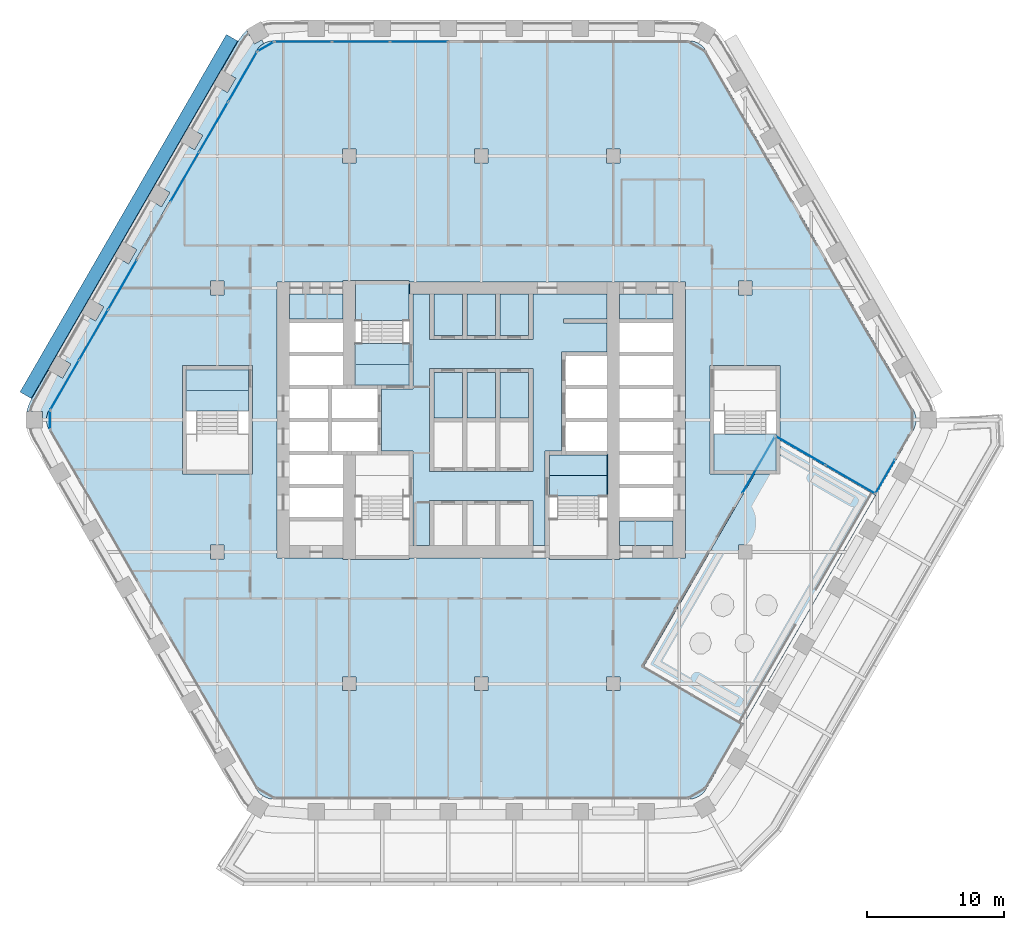
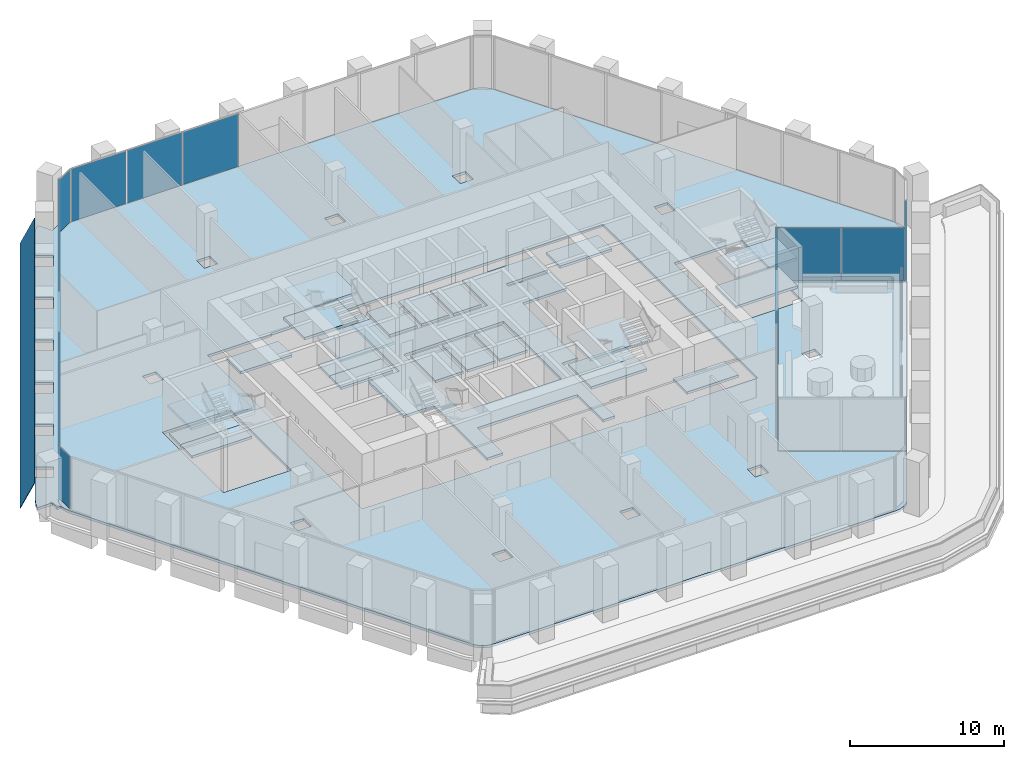
# One storey, part 12 of 25: 26 slabs, 16 plates, 12 elements without a shape of their own.
"""IFC4 building model written with IfcOpenShell, lengths in metres."""

from ifc_helpers import new_model, si_unit, direction, frame, origin, origin_2d, place, context, subcontext, project, spatial, polyline, rectangle, outline, extrude, material, layer, layer_set, type_object, element, aggregate, save


model = new_model("IFC4")

# Units and contexts
model_context = context("Model", 3, precision=1e-05, world=origin(), true_north=direction((0.0, 1.0)))
body_context = subcontext(model_context, "Body", "Model", "MODEL_VIEW")
ifc_project = project(units=[si_unit("LENGTHUNIT", "METRE"), si_unit("AREAUNIT", "SQUARE_METRE"), si_unit("VOLUMEUNIT", "CUBIC_METRE"), si_unit("PLANEANGLEUNIT", "RADIAN"), si_unit("MASSUNIT", "GRAM", prefix="KILO")], contexts=[model_context])

# Site, building, storey
site_placement = place(None, origin())
site = spatial("IfcSite", under=ifc_project, at=site_placement, CompositionType="ELEMENT")
building_placement = place(site_placement, origin())
building = spatial("IfcBuilding", under=site, at=building_placement, Name="Kolab Exchange Tower", CompositionType="ELEMENT")
storey_placement = place(building_placement, frame((0.0, 0.0, 91.39990234375)))
storey = spatial("IfcBuildingStorey", under=building, at=storey_placement, Name="L17", CompositionType="ELEMENT", Elevation=91.39990234375)

# Slabs
ifc_material_1 = material(Name="Concrete C35/45", Category="concrete")
ifc_layer_1 = layer(ifc_material_1, 0.199951171875)
ifc_layer_set_1 = layer_set([ifc_layer_1], Name="Concrete C35/45")
slab_type_1 = type_object("IfcSlabType", Name="FLOOR SLAB 200", PredefinedType="FLOOR", material=ifc_layer_set_1)
slab_1_placement = place(storey_placement, frame((0.0, 0.0, -0.199951171875)))
element("IfcSlab", 1, at=slab_1_placement, inside=storey, type_object=slab_type_1, Name="slab/L17/floor/0", PredefinedType="FLOOR", context=body_context, shape_type="SweptSolid", body=[
    extrude(outline(polyline([(11.826416015625, -17.9130859375), (19.887939453125, -3.949951171875), (16.949951171875, -3.949951171875), (16.64990234375, -3.949951171875), (16.64990234375, 3.949951171875), (16.949951171875, 3.949951171875), (21.449951171875, 3.949951171875), (21.75, 3.949951171875), (21.75, -1.47216796875), (28.700927734375, -5.4853515625), (31.434814453125, -0.75), (31.54541015625, -0.512939453125), (31.613037109375, -0.260498046875), (31.635986328125, 0.0), (31.613037109375, 0.260498046875), (31.54541015625, 0.512939453125), (31.434814453125, 0.75), (16.366943359375, 26.848388671875), (16.217041015625, 27.062744140625), (16.0322265625, 27.24755859375), (15.81787109375, 27.3974609375), (15.5810546875, 27.508056640625), (15.328369140625, 27.57568359375), (15.06787109375, 27.598388671875), (-15.06787109375, 27.598388671875), (-15.328369140625, 27.57568359375), (-15.5810546875, 27.508056640625), (-15.81787109375, 27.3974609375), (-16.0322265625, 27.24755859375), (-16.217041015625, 27.062744140625), (-16.366943359375, 26.848388671875), (-31.434814453125, 0.75), (-31.54541015625, 0.512939453125), (-31.613037109375, 0.260498046875), (-31.635986328125, 0.0), (-31.613037109375, -0.260498046875), (-31.54541015625, -0.512939453125), (-31.434814453125, -0.75), (-16.366943359375, -26.848388671875), (-16.217041015625, -27.062744140625), (-16.0322265625, -27.24755859375), (-15.81787109375, -27.3974609375), (-15.5810546875, -27.508056640625), (-15.328369140625, -27.57568359375), (-15.06787109375, -27.598388671875), (15.06787109375, -27.598388671875), (15.328369140625, -27.57568359375), (15.5810546875, -27.508056640625), (15.81787109375, -27.3974609375), (16.0322265625, -27.24755859375), (16.217041015625, -27.062744140625), (16.366943359375, -26.848388671875), (19.10107421875, -22.113037109375), (11.826416015625, -17.9130859375)]), holes=[polyline([(-13.949951171875, -10.050048828125), (-14.85009765625, -10.050048828125), (-14.85009765625, 10.050048828125), (-13.949951171875, 10.050048828125), (-10.050048828125, 10.050048828125), (-10.050048828125, 10.14990234375), (-9.14990234375, 10.14990234375), (-5.25, 10.14990234375), (-5.25, 10.050048828125), (9.14990234375, 10.050048828125), (10.050048828125, 10.050048828125), (13.949951171875, 10.050048828125), (14.85009765625, 10.050048828125), (14.85009765625, -10.050048828125), (13.949951171875, -10.050048828125), (10.050048828125, -10.050048828125), (10.050048828125, -10.14990234375), (9.14990234375, -10.14990234375), (4.949951171875, -10.14990234375), (4.949951171875, -10.050048828125), (-5.25, -10.050048828125), (-5.25, -10.14990234375), (-9.14990234375, -10.14990234375), (-10.050048828125, -10.14990234375), (-10.050048828125, -10.050048828125), (-13.949951171875, -10.050048828125)]), polyline([(-18.699951171875, -9.10009765625), (-18.699951171875, -10.10009765625), (-19.699951171875, -10.10009765625), (-19.699951171875, -9.10009765625), (-18.699951171875, -9.10009765625)]), polyline([(-21.449951171875, -3.949951171875), (-21.75, -3.949951171875), (-21.75, 3.949951171875), (-21.449951171875, 3.949951171875), (-16.949951171875, 3.949951171875), (-16.64990234375, 3.949951171875), (-16.64990234375, -3.949951171875), (-16.949951171875, -3.949951171875), (-21.449951171875, -3.949951171875)]), polyline([(-18.699951171875, 10.10009765625), (-18.699951171875, 9.10009765625), (-19.699951171875, 9.10009765625), (-19.699951171875, 10.10009765625), (-18.699951171875, 10.10009765625)]), polyline([(-9.10009765625, -18.699951171875), (-9.10009765625, -19.699951171875), (-10.10009765625, -19.699951171875), (-10.10009765625, -18.699951171875), (-9.10009765625, -18.699951171875)]), polyline([(-9.10009765625, 19.699951171875), (-9.10009765625, 18.699951171875), (-10.10009765625, 18.699951171875), (-10.10009765625, 19.699951171875), (-9.10009765625, 19.699951171875)]), polyline([(9.10009765625, -18.699951171875), (10.10009765625, -18.699951171875), (10.10009765625, -19.699951171875), (9.10009765625, -19.699951171875), (9.10009765625, -18.699951171875)]), polyline([(-0.5, -18.699951171875), (0.5, -18.699951171875), (0.5, -19.699951171875), (-0.5, -19.699951171875), (-0.5, -18.699951171875)]), polyline([(0.5, 19.699951171875), (0.5, 18.699951171875), (-0.5, 18.699951171875), (-0.5, 19.699951171875), (0.5, 19.699951171875)]), polyline([(10.10009765625, 19.699951171875), (10.10009765625, 18.699951171875), (9.10009765625, 18.699951171875), (9.10009765625, 19.699951171875), (10.10009765625, 19.699951171875)]), polyline([(19.699951171875, 10.10009765625), (19.699951171875, 9.10009765625), (18.699951171875, 9.10009765625), (18.699951171875, 10.10009765625), (19.699951171875, 10.10009765625)])]), origin(), (0.0, 0.0, 1.0), 0.199951171875),
])
slab_2_placement = place(storey_placement, frame((0.0, 0.0, -0.199951171875)))
element("IfcSlab", 2, at=slab_2_placement, inside=storey, type_object=slab_type_1, Name="slab/L17/floor/1", PredefinedType="FLOOR", context=body_context, shape_type="SweptSolid", body=[
    extrude(outline(polyline([(-4.949951171875, 9.14990234375), (-4.949951171875, 2.25), (-5.25, 2.25), (-7.25, 2.25), (-7.25, -2.25), (-5.25, -2.25), (-4.949951171875, -2.25), (-4.949951171875, -9.14990234375), (-3.75, -9.14990234375), (-3.75, -5.85009765625), (-3.449951171875, -5.85009765625), (-1.35009765625, -5.85009765625), (-1.050048828125, -5.85009765625), (1.050048828125, -5.85009765625), (1.35009765625, -5.85009765625), (3.449951171875, -5.85009765625), (3.75, -5.85009765625), (3.75, -9.14990234375), (4.64990234375, -9.14990234375), (4.64990234375, -2.25), (4.949951171875, -2.25), (5.85009765625, -2.25), (5.85009765625, 4.949951171875), (6.14990234375, 4.949951171875), (9.14990234375, 4.949951171875), (9.14990234375, 7.050048828125), (6.0, 7.050048828125), (6.0, 7.35009765625), (9.14990234375, 7.35009765625), (9.14990234375, 9.14990234375), (3.75, 9.14990234375), (3.75, 5.85009765625), (3.449951171875, 5.85009765625), (1.35009765625, 5.85009765625), (1.050048828125, 5.85009765625), (-1.050048828125, 5.85009765625), (-1.35009765625, 5.85009765625), (-3.449951171875, 5.85009765625), (-3.75, 5.85009765625), (-3.75, 9.14990234375), (-4.949951171875, 9.14990234375)]), holes=[polyline([(-3.75, -3.75), (-3.75, 3.75), (-3.449951171875, 3.75), (-1.35009765625, 3.75), (-1.050048828125, 3.75), (1.050048828125, 3.75), (1.35009765625, 3.75), (3.449951171875, 3.75), (3.75, 3.75), (3.75, -3.75), (3.449951171875, -3.75), (1.35009765625, -3.75), (1.050048828125, -3.75), (-1.050048828125, -3.75), (-1.35009765625, -3.75), (-3.449951171875, -3.75), (-3.75, -3.75)])]), origin(), (0.0, 0.0, 1.0), 0.199951171875),
])
slab_3_placement = place(storey_placement, frame((0.0, 0.0, -0.199951171875)))
element("IfcSlab", 3, at=slab_3_placement, inside=storey, type_object=slab_type_1, Name="slab/L17/floor/3", PredefinedType="FLOOR", context=body_context, shape_type="SweptSolid", body=[
    extrude(outline(polyline([(-10.050048828125, 9.14990234375), (-13.949951171875, 9.14990234375), (-13.949951171875, 7.35009765625), (-10.050048828125, 7.35009765625), (-10.050048828125, 9.14990234375)])), origin(), (0.0, 0.0, 1.0), 0.199951171875),
])
slab_4_placement = place(storey_placement, frame((0.0, 0.0, -0.199951171875)))
element("IfcSlab", 4, at=slab_4_placement, inside=storey, type_object=slab_type_1, Name="slab/L17/floor/4", PredefinedType="FLOOR", context=body_context, shape_type="SweptSolid", body=[
    extrude(outline(polyline([(10.050048828125, -9.14990234375), (13.949951171875, -9.14990234375), (13.949951171875, -7.35009765625), (10.050048828125, -7.35009765625), (10.050048828125, -9.14990234375)])), origin(), (0.0, 0.0, 1.0), 0.199951171875),
])
slab_5_placement = place(storey_placement, frame((0.0, 0.0, -0.199951171875)))
element("IfcSlab", 5, at=slab_5_placement, inside=storey, type_object=slab_type_1, Name="slab/L17/floor/5", PredefinedType="FLOOR", context=body_context, shape_type="SweptSolid", body=[
    extrude(outline(polyline([(13.949951171875, 9.14990234375), (10.050048828125, 9.14990234375), (10.050048828125, 7.35009765625), (13.949951171875, 7.35009765625), (13.949951171875, 9.14990234375)])), origin(), (0.0, 0.0, 1.0), 0.199951171875),
])
slab_6_placement = place(storey_placement, frame((0.0, 0.0, -0.199951171875)))
element("IfcSlab", 6, at=slab_6_placement, inside=storey, type_object=slab_type_1, Name="slab/L17/floor/7", PredefinedType="FLOOR", context=body_context, shape_type="SweptSolid", body=[
    extrude(outline(polyline([(-1.35009765625, 0.14990234375), (-1.35009765625, 3.449951171875), (-3.449951171875, 3.449951171875), (-3.449951171875, 0.14990234375), (-1.35009765625, 0.14990234375)])), origin(), (0.0, 0.0, 1.0), 0.199951171875),
])
slab_7_placement = place(storey_placement, frame((0.0, 0.0, -0.199951171875)))
element("IfcSlab", 7, at=slab_7_placement, inside=storey, type_object=slab_type_1, Name="slab/L17/floor/9", PredefinedType="FLOOR", context=body_context, shape_type="SweptSolid", body=[
    extrude(outline(polyline([(-1.050048828125, 3.449951171875), (-1.050048828125, 0.14990234375), (1.050048828125, 0.14990234375), (1.050048828125, 3.449951171875), (-1.050048828125, 3.449951171875)])), origin(), (0.0, 0.0, 1.0), 0.199951171875),
])
slab_8_placement = place(storey_placement, frame((0.0, 0.0, -0.199951171875)))
element("IfcSlab", 8, at=slab_8_placement, inside=storey, type_object=slab_type_1, Name="slab/L17/floor/11", PredefinedType="FLOOR", context=body_context, shape_type="SweptSolid", body=[
    extrude(outline(polyline([(1.35009765625, 0.14990234375), (3.449951171875, 0.14990234375), (3.449951171875, 3.449951171875), (1.35009765625, 3.449951171875), (1.35009765625, 0.14990234375)])), origin(), (0.0, 0.0, 1.0), 0.199951171875),
])
slab_9_placement = place(storey_placement, frame((0.0, 0.0, -0.199951171875)))
element("IfcSlab", 9, at=slab_9_placement, inside=storey, type_object=slab_type_1, Name="slab/L17/floor/12", PredefinedType="FLOOR", context=body_context, shape_type="SweptSolid", body=[
    extrude(outline(polyline([(-21.449951171875, 3.64990234375), (-21.449951171875, 2.14990234375), (-16.949951171875, 2.14990234375), (-16.949951171875, 3.64990234375), (-21.449951171875, 3.64990234375)])), origin(), (0.0, 0.0, 1.0), 0.199951171875),
])
slab_10_placement = place(storey_placement, frame((0.0, 0.0, -0.199951171875)))
element("IfcSlab", 10, at=slab_10_placement, inside=storey, type_object=slab_type_1, Name="slab/L17/floor/15", PredefinedType="FLOOR", context=body_context, shape_type="SweptSolid", body=[
    extrude(outline(polyline([(-1.35009765625, 6.14990234375), (-1.35009765625, 9.14990234375), (-3.449951171875, 9.14990234375), (-3.449951171875, 6.14990234375), (-1.35009765625, 6.14990234375)])), origin(), (0.0, 0.0, 1.0), 0.199951171875),
])
slab_11_placement = place(storey_placement, frame((0.0, 0.0, -0.199951171875)))
element("IfcSlab", 11, at=slab_11_placement, inside=storey, type_object=slab_type_1, Name="slab/L17/floor/17", PredefinedType="FLOOR", context=body_context, shape_type="SweptSolid", body=[
    extrude(outline(polyline([(-1.050048828125, 9.14990234375), (-1.050048828125, 6.14990234375), (1.050048828125, 6.14990234375), (1.050048828125, 9.14990234375), (-1.050048828125, 9.14990234375)])), origin(), (0.0, 0.0, 1.0), 0.199951171875),
])
slab_12_placement = place(storey_placement, frame((0.0, 0.0, -0.199951171875)))
element("IfcSlab", 12, at=slab_12_placement, inside=storey, type_object=slab_type_1, Name="slab/L17/floor/19", PredefinedType="FLOOR", context=body_context, shape_type="SweptSolid", body=[
    extrude(outline(polyline([(1.35009765625, 6.14990234375), (3.449951171875, 6.14990234375), (3.449951171875, 9.14990234375), (1.35009765625, 9.14990234375), (1.35009765625, 6.14990234375)])), origin(), (0.0, 0.0, 1.0), 0.199951171875),
])
slab_13_placement = place(storey_placement, frame((0.0, 0.0, -0.199951171875)))
element("IfcSlab", 13, at=slab_13_placement, inside=storey, type_object=slab_type_1, Name="slab/L17/floor/20", PredefinedType="FLOOR", context=body_context, shape_type="SweptSolid", body=[
    extrude(outline(polyline([(4.949951171875, -4.050048828125), (9.14990234375, -4.050048828125), (9.14990234375, -2.550048828125), (6.14990234375, -2.550048828125), (5.85009765625, -2.550048828125), (4.949951171875, -2.550048828125), (4.949951171875, -4.050048828125)])), origin(), (0.0, 0.0, 1.0), 0.199951171875),
])
slab_14_placement = place(storey_placement, frame((0.0, 0.0, -0.199951171875)))
element("IfcSlab", 14, at=slab_14_placement, inside=storey, type_object=slab_type_1, Name="slab/L17/floor/22", PredefinedType="FLOOR", context=body_context, shape_type="SweptSolid", body=[
    extrude(outline(polyline([(-5.25, 4.050048828125), (-9.14990234375, 4.050048828125), (-9.14990234375, 2.550048828125), (-7.550048828125, 2.550048828125), (-7.25, 2.550048828125), (-5.25, 2.550048828125), (-5.25, 4.050048828125)])), origin(), (0.0, 0.0, 1.0), 0.199951171875),
])
ifc_layer_2 = layer(ifc_material_1, 0.199951171875)
ifc_layer_set_2 = layer_set([ifc_layer_2], Name="Concrete C35/45")
slab_type_2 = type_object("IfcSlabType", Name="LOGGIA SLAB 200", PredefinedType="FLOOR", material=ifc_layer_set_2)
slab_15_placement = place(storey_placement, frame((0.0, 0.0, -0.199951171875)))
element("IfcSlab", 15, at=slab_15_placement, inside=storey, type_object=slab_type_2, Name="slab/L17/loggia/5-0", PredefinedType="FLOOR", context=body_context, shape_type="SweptSolid", body=[
    extrude(outline(polyline([(-16.0322265625, 27.24755859375), (-15.81787109375, 27.3974609375), (-15.968017578125, 27.6572265625), (-16.487548828125, 27.357177734375), (-17.05419921875, 28.338623046875), (-17.365966796875, 28.02685546875), (-17.666015625, 27.598388671875), (-18.89990234375, 25.461181640625), (-17.86083984375, 24.861083984375), (-18.460693359375, 23.822021484375), (-19.5, 24.421875), (-21.300048828125, 21.30419921875), (-20.2607421875, 20.704345703125), (-20.86083984375, 19.6650390625), (-21.89990234375, 20.264892578125), (-23.699951171875, 17.147216796875), (-22.660888671875, 16.54736328125), (-23.2607421875, 15.508056640625), (-24.300048828125, 16.108154296875), (-26.10009765625, 12.990478515625), (-25.060791015625, 12.390380859375), (-25.660888671875, 11.35107421875), (-26.699951171875, 11.951171875), (-28.5, 8.83349609375), (-27.460693359375, 8.2333984375), (-28.060791015625, 7.1943359375), (-29.10009765625, 7.794189453125), (-30.89990234375, 4.676513671875), (-29.86083984375, 4.076416015625), (-30.460693359375, 3.037353515625), (-31.5, 3.63720703125), (-32.73388671875, 1.5), (-32.955078125, 1.026123046875), (-33.069091796875, 0.60009765625), (-31.935791015625, 0.60009765625), (-31.935791015625, 0.0), (-31.635986328125, 0.0), (-31.613037109375, 0.260498046875), (-31.54541015625, 0.512939453125), (-31.434814453125, 0.75), (-16.366943359375, 26.848388671875), (-16.217041015625, 27.062744140625), (-16.0322265625, 27.24755859375)])), origin(), (0.0, 0.0, 1.0), 0.199951171875),
])

# Plate
ifc_material_2 = material(Name="Laminated glass, clear", Category="glass")
ifc_layer_3 = layer(ifc_material_2, 0.0400390625)
ifc_layer_set_3 = layer_set([ifc_layer_3], Name="Laminated glass, clear")
plate_type_1 = type_object("IfcPlateType", Name="OUTER SKIN LAMINATED GLASS SHEET 40", PredefinedType="SHEET", material=ifc_layer_set_3)
plate_1_placement = place(storey_placement, frame((-33.55810546875, 2.033447265625, -0.73291015625), z_axis=(-0.78488749746, 0.453155039209, 0.422613448403), x_axis=(0.499999167166, 0.866025884618, -2.126414e-06)))
element("IfcPlate", 16, at=plate_1_placement, inside=storey, type_object=plate_type_1, Name="Outer skin", PredefinedType="SHEET", context=body_context, shape_type="SweptSolid", body=[
    extrude(outline(polyline([(0.0, 0.0), (30.035931798469555, 0.0), (30.035952675587897, -2.234297472395734), (0.00011023910991124468, -2.234156530048972), (0.0, 0.0)])), origin(), (0.0, 0.0, -1.0), 0.0400390625),
])

# Stair, slabs
ifc_material_3 = material(Name="Concrete C50/60", Category="concrete")
stair_type_1 = type_object("IfcStairType", Name="STAIR ST1 RISER 160.7", PredefinedType="DOUBLE_RETURN_STAIR", material=ifc_material_3)
stair_1_placement = place(storey_placement, origin())
stair_1 = element("IfcStair", 17, at=stair_1_placement, inside=storey, type_object=stair_type_1, Name="Stair 1", PredefinedType="DOUBLE_RETURN_STAIR")
ifc_layer_4 = layer(ifc_material_3, 0.199951171875)
ifc_layer_set_4 = layer_set([ifc_layer_4], Name="Concrete C50/60")
slab_type_3 = type_object("IfcSlabType", Name="STAIR LANDING 200", PredefinedType="LANDING", material=ifc_layer_set_4)
slab_16_placement = place(storey_placement, frame((0.0, 0.0, -0.199951171875)))
slab_16 = element("IfcSlab", 18, at=slab_16_placement, type_object=slab_type_3, Name="ST1 landing 1", PredefinedType="LANDING", context=body_context, shape_type="SweptSolid", body=[
    extrude(outline(polyline([(-9.14990234375, 4.050048828125), (-5.25, 4.050048828125), (-5.25, 5.550048828125), (-9.14990234375, 5.550048828125), (-9.14990234375, 4.050048828125)])), origin(), (0.0, 0.0, 1.0), 0.199951171875),
])
slab_17_placement = place(storey_placement, frame((0.0, 0.0, 0.925048828125)))
slab_17 = element("IfcSlab", 19, at=slab_17_placement, type_object=slab_type_3, Name="ST1 landing 2", PredefinedType="LANDING", context=body_context, shape_type="SweptSolid", body=[
    extrude(outline(polyline([(-9.2099609375, 7.22998046875), (-5.18994140625, 7.22998046875), (-5.18994140625, 9.909912109375), (-9.2099609375, 9.909912109375), (-9.2099609375, 7.22998046875)])), origin(), (0.0, 0.0, 1.0), 0.199951171875),
])
slab_18_placement = place(storey_placement, frame((0.0, 0.0, 2.050048828125)))
slab_18 = element("IfcSlab", 20, at=slab_18_placement, type_object=slab_type_3, Name="ST1 landing 3", PredefinedType="LANDING", context=body_context, shape_type="SweptSolid", body=[
    extrude(outline(polyline([(-9.2099609375, 2.489990234375), (-5.18994140625, 2.489990234375), (-5.18994140625, 5.550048828125), (-9.2099609375, 5.550048828125), (-9.2099609375, 2.489990234375)])), origin(), (0.0, 0.0, 1.0), 0.199951171875),
])
slab_19_placement = place(storey_placement, frame((0.0, 0.0, 3.175048828125)))
slab_19 = element("IfcSlab", 21, at=slab_19_placement, type_object=slab_type_3, Name="ST1 landing 4", PredefinedType="LANDING", context=body_context, shape_type="SweptSolid", body=[
    extrude(outline(polyline([(-9.14990234375, 7.22998046875), (-5.25, 7.22998046875), (-5.25, 9.909912109375), (-9.14990234375, 9.909912109375), (-9.14990234375, 7.22998046875)])), origin(), (0.0, 0.0, 1.0), 0.199951171875),
])
aggregate(stair_1, [slab_16, slab_17, slab_18, slab_19])

stair_type_2 = type_object("IfcStairType", Name="STAIR ST2 RISER 160.7", PredefinedType="DOUBLE_RETURN_STAIR", material=ifc_material_3)
stair_2_placement = place(storey_placement, origin())
stair_2 = element("IfcStair", 22, at=stair_2_placement, inside=storey, type_object=stair_type_2, Name="Stair 2", PredefinedType="DOUBLE_RETURN_STAIR")
slab_20_placement = place(storey_placement, frame((0.0, 0.0, -0.199951171875)))
slab_20 = element("IfcSlab", 23, at=slab_20_placement, type_object=slab_type_3, Name="ST2 landing 1", PredefinedType="LANDING", context=body_context, shape_type="SweptSolid", body=[
    extrude(outline(polyline([(4.949951171875, -5.550048828125), (9.14990234375, -5.550048828125), (9.14990234375, -4.050048828125), (4.949951171875, -4.050048828125), (4.949951171875, -5.550048828125)])), origin(), (0.0, 0.0, 1.0), 0.199951171875),
])
slab_21_placement = place(storey_placement, frame((0.0, 0.0, 2.050048828125)))
slab_21 = element("IfcSlab", 24, at=slab_21_placement, type_object=slab_type_3, Name="ST2 landing 3", PredefinedType="LANDING", context=body_context, shape_type="SweptSolid", body=[
    extrude(outline(polyline([(4.889892578125, -5.550048828125), (9.2099609375, -5.550048828125), (9.2099609375, -2.489990234375), (4.889892578125, -2.489990234375), (4.889892578125, -5.550048828125)])), origin(), (0.0, 0.0, 1.0), 0.199951171875),
])
aggregate(stair_2, [slab_20, slab_21])

stair_type_3 = type_object("IfcStairType", Name="STAIR ST4 RISER 160.7", PredefinedType="DOUBLE_RETURN_STAIR", material=ifc_material_3)
stair_3_placement = place(storey_placement, origin())
stair_3 = element("IfcStair", 25, at=stair_3_placement, inside=storey, type_object=stair_type_3, Name="Stair 4", PredefinedType="DOUBLE_RETURN_STAIR")
slab_22_placement = place(storey_placement, frame((0.0, 0.0, 0.925048828125)))
slab_22 = element("IfcSlab", 26, at=slab_22_placement, type_object=slab_type_3, Name="ST4 landing 2", PredefinedType="LANDING", context=body_context, shape_type="SweptSolid", body=[
    extrude(outline(polyline([(16.889892578125, -3.7099609375), (21.510009765625, -3.7099609375), (21.510009765625, -1.030029296875), (16.889892578125, -1.030029296875), (16.889892578125, -3.7099609375)])), origin(), (0.0, 0.0, 1.0), 0.199951171875),
])
slab_23_placement = place(storey_placement, frame((0.0, 0.0, 3.175048828125)))
slab_23 = element("IfcSlab", 27, at=slab_23_placement, type_object=slab_type_3, Name="ST4 landing 4", PredefinedType="LANDING", context=body_context, shape_type="SweptSolid", body=[
    extrude(outline(polyline([(16.949951171875, -3.7099609375), (21.449951171875, -3.7099609375), (21.449951171875, -1.030029296875), (16.949951171875, -1.030029296875), (16.949951171875, -3.7099609375)])), origin(), (0.0, 0.0, 1.0), 0.199951171875),
])
aggregate(stair_3, [slab_22, slab_23])

stair_type_4 = type_object("IfcStairType", Name="STAIR ST5 RISER 160.7", PredefinedType="DOUBLE_RETURN_STAIR", material=ifc_material_3)
stair_4_placement = place(storey_placement, origin())
stair_4 = element("IfcStair", 28, at=stair_4_placement, inside=storey, type_object=stair_type_4, Name="Stair 5", PredefinedType="DOUBLE_RETURN_STAIR")
slab_24_placement = place(storey_placement, frame((0.0, 0.0, -0.199951171875)))
slab_24 = element("IfcSlab", 29, at=slab_24_placement, type_object=slab_type_3, Name="ST5 landing 1", PredefinedType="LANDING", context=body_context, shape_type="SweptSolid", body=[
    extrude(outline(polyline([(-21.449951171875, 0.64990234375), (-16.949951171875, 0.64990234375), (-16.949951171875, 2.14990234375), (-21.449951171875, 2.14990234375), (-21.449951171875, 0.64990234375)])), origin(), (0.0, 0.0, 1.0), 0.199951171875),
])
slab_25_placement = place(storey_placement, frame((0.0, 0.0, 2.050048828125)))
slab_25 = element("IfcSlab", 30, at=slab_25_placement, type_object=slab_type_3, Name="ST5 landing 3", PredefinedType="LANDING", context=body_context, shape_type="SweptSolid", body=[
    extrude(outline(polyline([(-21.510009765625, 0.64990234375), (-16.889892578125, 0.64990234375), (-16.889892578125, 3.7099609375), (-21.510009765625, 3.7099609375), (-21.510009765625, 0.64990234375)])), origin(), (0.0, 0.0, 1.0), 0.199951171875),
])
aggregate(stair_4, [slab_24, slab_25])

# Slab
ifc_layer_5 = layer(ifc_material_1, 0.199951171875)
ifc_layer_set_5 = layer_set([ifc_layer_5], Name="Concrete C35/45")
slab_type_4 = type_object("IfcSlabType", Name="TERRACE SLAB 200 PLANTED", PredefinedType="ROOF", material=ifc_layer_set_5)
slab_26_placement = place(storey_placement, frame((0.0, 0.0, -0.199951171875)))
element("IfcSlab", 31, at=slab_26_placement, inside=storey, type_object=slab_type_4, Name="Roof terrace", PredefinedType="ROOF", context=body_context, shape_type="SweptSolid", body=[
    extrude(outline(polyline([(28.700927734375, -5.4853515625), (21.75, -1.47216796875), (21.75, -3.949951171875), (21.449951171875, -3.949951171875), (19.887939453125, -3.949951171875), (11.826416015625, -17.9130859375), (19.10107421875, -22.113037109375), (28.700927734375, -5.4853515625)]), holes=[polyline([(19.699951171875, -9.10009765625), (19.699951171875, -10.10009765625), (18.699951171875, -10.10009765625), (18.699951171875, -9.10009765625), (19.699951171875, -9.10009765625)])]), origin(), (0.0, 0.0, 1.0), 0.199951171875),
])

# Curtain wall, plates
ifc_material_4 = material(Name="Aluminium EN AW-6063 T6", Category="aluminium")
curtain_wall_type = type_object("IfcCurtainWallType", Name="UNITISED LOWER MID ZONE CURTAIN WALL", PredefinedType="NOTDEFINED", material=ifc_material_4)
curtain_wall_1_placement = place(storey_placement, origin())
curtain_wall_1 = element("IfcCurtainWall", 32, at=curtain_wall_1_placement, inside=storey, type_object=curtain_wall_type, Name="cw/L17/F1-1", PredefinedType="NOTDEFINED")
ifc_material_5 = material(Name="Clear insulated glazing unit", Category="glass")
ifc_layer_6 = layer(ifc_material_5, 0.02587890625)
ifc_layer_set_6 = layer_set([ifc_layer_6], Name="Clear insulated glazing unit")
plate_type_2 = type_object("IfcPlateType", Name="UNITISED LOWER MID ZONE GLASS PANEL 26", PredefinedType="CURTAIN_PANEL", material=ifc_layer_set_6)
plate_2_placement = place(storey_placement, frame((-12.941650390625, 27.5185546875, 0.06005859375), z_axis=(0.0, 0.0, 1.0), x_axis=(1.0, 0.0, 0.0)))
plate_2 = element("IfcPlate", 33, at=plate_2_placement, type_object=plate_type_2, Name="CW2 panel 1.1", PredefinedType="CURTAIN_PANEL", context=body_context, shape_type="SweptSolid", body=[
    extrude(rectangle(XDim=4.132568359375, YDim=0.02587890625, at=origin_2d()), origin(), (0.0, 0.0, 1.0), 4.179931640625),
])
plate_3_placement = place(storey_placement, frame((-8.73388671875, 27.5185546875, 0.06005859375), z_axis=(0.0, 0.0, 1.0), x_axis=(1.0, 0.0, 0.0)))
plate_3 = element("IfcPlate", 34, at=plate_3_placement, type_object=plate_type_2, Name="CW2 panel 2.1", PredefinedType="CURTAIN_PANEL", context=body_context, shape_type="SweptSolid", body=[
    extrude(rectangle(XDim=4.16259765625, YDim=0.02587890625, at=origin_2d()), origin(), (0.0, 0.0, 1.0), 4.179931640625),
])
plate_4_placement = place(storey_placement, frame((-4.5263671875, 27.5185546875, 0.06005859375), z_axis=(0.0, 0.0, 1.0), x_axis=(1.0, 0.0, 0.0)))
plate_4 = element("IfcPlate", 35, at=plate_4_placement, type_object=plate_type_2, Name="CW2 panel 3.1", PredefinedType="CURTAIN_PANEL", context=body_context, shape_type="SweptSolid", body=[
    extrude(rectangle(XDim=4.132568359375, YDim=0.02587890625, at=origin_2d()), origin(), (0.0, 0.0, 1.0), 4.179931640625),
])
aggregate(curtain_wall_1, [plate_2, plate_3, plate_4])

# Curtain wall, plate
curtain_wall_2_placement = place(storey_placement, origin())
curtain_wall_2 = element("IfcCurtainWall", 36, at=curtain_wall_2_placement, inside=storey, type_object=curtain_wall_type, Name="cw/L17/F3-l-1", PredefinedType="NOTDEFINED")
plate_5_placement = place(storey_placement, frame((29.403564453125, -4.108154296875, 0.06005859375), z_axis=(0.0, 0.0, 1.0), x_axis=(-0.499999903717, -0.866025459373, 0.0)))
plate_5 = element("IfcPlate", 37, at=plate_5_placement, type_object=plate_type_2, Name="CW2 panel 1.1", PredefinedType="CURTAIN_PANEL", context=body_context, shape_type="SweptSolid", body=[
    extrude(rectangle(XDim=2.807861328125, YDim=0.02587890625, at=origin_2d()), origin(), (0.0, 0.0, 1.0), 4.179931640625),
])
aggregate(curtain_wall_2, [plate_5])

# Curtain wall, plates
curtain_wall_3_placement = place(storey_placement, origin())
curtain_wall_3 = element("IfcCurtainWall", 38, at=curtain_wall_3_placement, inside=storey, type_object=curtain_wall_type, Name="cw/L17/F3-rl-1", PredefinedType="NOTDEFINED")
plate_6_placement = place(storey_placement, frame((26.840087890625, -4.318603515625, 0.06005859375), z_axis=(0.0, 0.0, 1.0), x_axis=(-0.866025421884, 0.499999968652, 0.0)))
plate_6 = element("IfcPlate", 39, at=plate_6_placement, type_object=plate_type_2, Name="CW2 panel 1.1", PredefinedType="CURTAIN_PANEL", context=body_context, shape_type="SweptSolid", body=[
    extrude(rectangle(XDim=4.110107421875, YDim=0.02587890625, at=origin_2d()), origin(), (0.0, 0.0, 1.0), 4.179931640625),
])
plate_7_placement = place(storey_placement, frame((23.228759765625, -2.233642578125, 0.06005859375), z_axis=(0.0, 0.0, 1.0), x_axis=(-0.866025421884, 0.499999968652, 0.0)))
plate_7 = element("IfcPlate", 40, at=plate_7_placement, type_object=plate_type_2, Name="CW2 panel 2.1", PredefinedType="CURTAIN_PANEL", context=body_context, shape_type="SweptSolid", body=[
    extrude(rectangle(XDim=4.110107421875, YDim=0.02587890625, at=origin_2d()), origin(), (0.0, 0.0, 1.0), 4.179931640625),
])
aggregate(curtain_wall_3, [plate_6, plate_7])

# Curtain wall, plate
curtain_wall_4_placement = place(storey_placement, origin())
curtain_wall_4 = element("IfcCurtainWall", 41, at=curtain_wall_4_placement, inside=storey, type_object=curtain_wall_type, Name="cw/L17/F3-back-1", PredefinedType="NOTDEFINED")
plate_8_placement = place(storey_placement, frame((20.18701171875, -3.27197265625, 0.06005859375), z_axis=(0.0, 0.0, 1.0), x_axis=(-0.499999995919, -0.866025406141, 0.0)))
plate_8 = element("IfcPlate", 42, at=plate_8_placement, type_object=plate_type_2, Name="CW2 panel 1.1", PredefinedType="CURTAIN_PANEL", context=body_context, shape_type="SweptSolid", body=[
    extrude(rectangle(XDim=4.719970703125, YDim=0.02587890625, at=origin_2d()), origin(), (0.0, 0.0, 1.0), 4.179931640625),
])
aggregate(curtain_wall_4, [plate_8])

# Curtain wall, plates
curtain_wall_5_placement = place(storey_placement, origin())
curtain_wall_5 = element("IfcCurtainWall", 43, at=curtain_wall_5_placement, inside=storey, type_object=curtain_wall_type, Name="cw/L17/F6-1", PredefinedType="NOTDEFINED")
plate_9_placement = place(storey_placement, frame((-30.302490234375, 2.551513671875, 0.06005859375), z_axis=(0.0, 0.0, 1.0), x_axis=(0.499999958358, 0.866025427826, 0.0)))
plate_9 = element("IfcPlate", 44, at=plate_9_placement, type_object=plate_type_2, Name="CW2 panel 1.1", PredefinedType="CURTAIN_PANEL", context=body_context, shape_type="SweptSolid", body=[
    extrude(rectangle(XDim=4.132568359375, YDim=0.02587890625, at=origin_2d()), origin(), (0.0, 0.0, 1.0), 4.179931640625),
])
plate_10_placement = place(storey_placement, frame((-28.19873046875, 6.1953125, 0.06005859375), z_axis=(0.0, 0.0, 1.0), x_axis=(0.499999958358, 0.866025427826, 0.0)))
plate_10 = element("IfcPlate", 45, at=plate_10_placement, type_object=plate_type_2, Name="CW2 panel 2.1", PredefinedType="CURTAIN_PANEL", context=body_context, shape_type="SweptSolid", body=[
    extrude(rectangle(XDim=4.16259765625, YDim=0.02587890625, at=origin_2d()), origin(), (0.0, 0.0, 1.0), 4.179931640625),
])
plate_11_placement = place(storey_placement, frame((-26.0947265625, 9.83935546875, 0.06005859375), z_axis=(0.0, 0.0, 1.0), x_axis=(0.499999958358, 0.866025427826, 0.0)))
plate_11 = element("IfcPlate", 46, at=plate_11_placement, type_object=plate_type_2, Name="CW2 panel 3.1", PredefinedType="CURTAIN_PANEL", context=body_context, shape_type="SweptSolid", body=[
    extrude(rectangle(XDim=4.132568359375, YDim=0.02587890625, at=origin_2d()), origin(), (0.0, 0.0, 1.0), 4.179931640625),
])
aggregate(curtain_wall_5, [plate_9, plate_10, plate_11])

curtain_wall_6_placement = place(storey_placement, origin())
curtain_wall_6 = element("IfcCurtainWall", 47, at=curtain_wall_6_placement, inside=storey, type_object=curtain_wall_type, Name="cw/L17/F6-2", PredefinedType="NOTDEFINED")
plate_12_placement = place(storey_placement, frame((-21.568603515625, 17.67919921875, 0.06005859375), z_axis=(0.0, 0.0, 1.0), x_axis=(0.500000017564, 0.866025393644, 0.0)))
plate_12 = element("IfcPlate", 48, at=plate_12_placement, type_object=plate_type_2, Name="CW2 panel 1.1", PredefinedType="CURTAIN_PANEL", context=body_context, shape_type="SweptSolid", body=[
    extrude(rectangle(XDim=4.132568359375, YDim=0.02587890625, at=origin_2d()), origin(), (0.0, 0.0, 1.0), 4.179931640625),
])
plate_13_placement = place(storey_placement, frame((-19.464599609375, 21.322998046875, 0.06005859375), z_axis=(0.0, 0.0, 1.0), x_axis=(0.500000017564, 0.866025393644, 0.0)))
plate_13 = element("IfcPlate", 49, at=plate_13_placement, type_object=plate_type_2, Name="CW2 panel 2.1", PredefinedType="CURTAIN_PANEL", context=body_context, shape_type="SweptSolid", body=[
    extrude(rectangle(XDim=4.16259765625, YDim=0.02587890625, at=origin_2d()), origin(), (0.0, 0.0, 1.0), 4.179931640625),
])
plate_14_placement = place(storey_placement, frame((-17.36083984375, 24.967041015625, 0.06005859375), z_axis=(0.0, 0.0, 1.0), x_axis=(0.500000017564, 0.866025393644, 0.0)))
plate_14 = element("IfcPlate", 50, at=plate_14_placement, type_object=plate_type_2, Name="CW2 panel 3.1", PredefinedType="CURTAIN_PANEL", context=body_context, shape_type="SweptSolid", body=[
    extrude(rectangle(XDim=4.132568359375, YDim=0.02587890625, at=origin_2d()), origin(), (0.0, 0.0, 1.0), 4.179931640625),
])
aggregate(curtain_wall_6, [plate_12, plate_13, plate_14])

# Curtain wall, plate
curtain_wall_7_placement = place(storey_placement, origin())
curtain_wall_7 = element("IfcCurtainWall", 51, at=curtain_wall_7_placement, inside=storey, type_object=curtain_wall_type, Name="cw/L17/F5F6-corner", PredefinedType="NOTDEFINED")
plate_15_placement = place(storey_placement, frame((-31.36572265625, 0.0, 0.06005859375), z_axis=(0.0, 0.0, 1.0), x_axis=(0.0, 1.0, 0.0)))
plate_15 = element("IfcPlate", 52, at=plate_15_placement, type_object=plate_type_2, Name="CW2 panel 1.1", PredefinedType="CURTAIN_PANEL", context=body_context, shape_type="SweptSolid", body=[
    extrude(rectangle(XDim=1.300048828125, YDim=0.02587890625, at=origin_2d()), origin(), (0.0, 0.0, 1.0), 4.179931640625),
])
aggregate(curtain_wall_7, [plate_15])

curtain_wall_8_placement = place(storey_placement, origin())
curtain_wall_8 = element("IfcCurtainWall", 53, at=curtain_wall_8_placement, inside=storey, type_object=curtain_wall_type, Name="cw/L17/F6F1-corner", PredefinedType="NOTDEFINED")
plate_16_placement = place(storey_placement, frame((-15.682861328125, 27.16357421875, 0.06005859375), z_axis=(0.0, 0.0, 1.0), x_axis=(0.866025390869, 0.50000002237, 0.0)))
plate_16 = element("IfcPlate", 54, at=plate_16_placement, type_object=plate_type_2, Name="CW2 panel 1.1", PredefinedType="CURTAIN_PANEL", context=body_context, shape_type="SweptSolid", body=[
    extrude(rectangle(XDim=1.300048828125, YDim=0.02587890625, at=origin_2d()), origin(), (0.0, 0.0, 1.0), 4.179931640625),
])
aggregate(curtain_wall_8, [plate_16])

save(model, "model.ifc")
